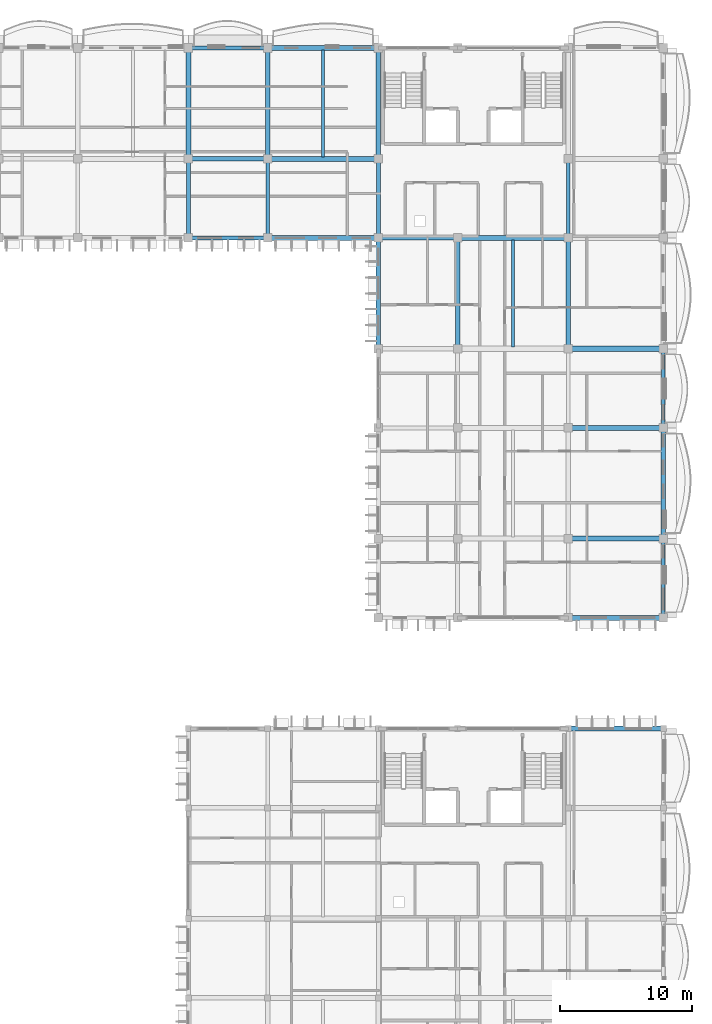
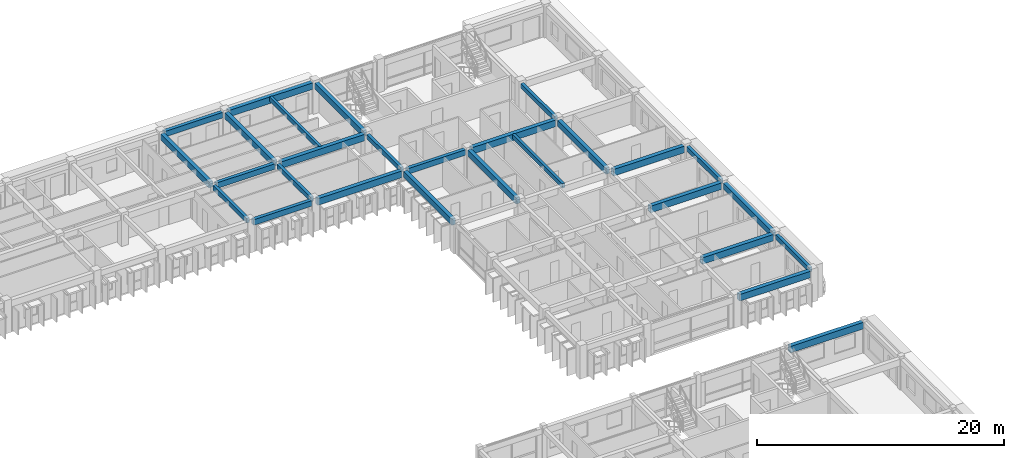
# One storey, part 17 of 76: 28 beams.
"""IFC4 building model written with IfcOpenShell, lengths in metres."""

from ifc_helpers import new_model, si_unit, direction, frame, origin, origin_2d, place, context, subcontext, project, spatial, rectangle, extrude, material, material_profile, profile_set, type_object, element, save


model = new_model("IFC4")

# Units and contexts
model_context = context("Model", 3, precision=1e-05, world=origin(), true_north=direction((0.0, 1.0)))
body_context = subcontext(model_context, "Body", "Model", "MODEL_VIEW")
ifc_project = project(units=[si_unit("LENGTHUNIT", "METRE"), si_unit("AREAUNIT", "SQUARE_METRE"), si_unit("VOLUMEUNIT", "CUBIC_METRE"), si_unit("PLANEANGLEUNIT", "RADIAN"), si_unit("MASSUNIT", "GRAM", prefix="KILO"), si_unit("THERMODYNAMICTEMPERATUREUNIT", "KELVIN")], contexts=[model_context])

# Site, building, storey
site_placement = place(None, origin())
site = spatial("IfcSite", under=ifc_project, at=site_placement, CompositionType="ELEMENT")
building_placement = place(site_placement, origin())
building = spatial("IfcBuilding", under=site, at=building_placement, Name="Thalorik Housing Commons", CompositionType="ELEMENT")
storey_placement = place(building_placement, frame((0.0, 0.0, 18.0)))
storey = spatial("IfcBuildingStorey", under=building, at=storey_placement, Name="L05", CompositionType="ELEMENT", Elevation=18.0)

# Beams
ifc_material = material(Name="Precast concrete C40/50", Category="concrete")
ifc_material_profile_1 = material_profile(ifc_material, rectangle(XDim=0.280029296875, YDim=0.449951171875, at=origin_2d()), Name="PC 280x450", Category="concrete")
ifc_profile_set_1 = profile_set([ifc_material_profile_1], Name="Precast concrete C40/50")
beam_type_1 = type_object("IfcBeamType", Name="STR-BM-PC280x450", PredefinedType="BEAM", material=ifc_profile_set_1)
for number, where, z_axis, x_axis, name in (
    (1, (138.0, 109.47509765625, 2.81494140625), (0.0, 1.0, 0.0), (-1.0, 0.0, 0.0), "L05 Beam B-450"),
    (2, (144.0, 109.47509765625, 2.81494140625), (0.0, 1.0, 0.0), (-1.0, 0.0, 0.0), "L05 Beam B-450"),
    (3, (152.39990234375, 109.47509765625, 2.81494140625), (0.0, 1.0, 0.0), (-1.0, 0.0, 0.0), "L05 Beam B-450"),
    (4, (166.800048828125, 109.47509765625, 2.81494140625), (0.0, 1.0, 0.0), (-1.0, 0.0, 0.0), "L05 Beam B-450"),
    (5, (174.0, 80.675048828125, 2.81494140625), (0.0, 1.0, 0.0), (-1.0, 0.0, 0.0), "L05 Beam B-450"),
    (6, (174.0, 95.074951171875, 2.81494140625), (0.0, 1.0, 0.0), (-1.0, 0.0, 0.0), "L05 Beam B-450"),
):
    element("IfcBeam", number, at=place(storey_placement, frame(where, z_axis=z_axis, x_axis=x_axis)), inside=storey, type_object=beam_type_1, Name=name, PredefinedType="BEAM", context=body_context, shape_type="SweptSolid", body=[
        extrude(rectangle(XDim=0.280029296875, YDim=0.449951171875, at=origin_2d()), origin(), (0.0, 0.0, 1.0), 5.449951171875),
    ])
ifc_material_profile_2 = material_profile(ifc_material, rectangle(XDim=0.320068359375, YDim=0.550048828125, at=origin_2d()), Name="PC 320x550", Category="concrete")
ifc_profile_set_2 = profile_set([ifc_material_profile_2], Name="Precast concrete C40/50")
beam_type_2 = type_object("IfcBeamType", Name="STR-BM-PC320x550", PredefinedType="BEAM", material=ifc_profile_set_2)
beam_1_placement = place(storey_placement, frame((138.27490234375, 109.199951171875, 2.764892578125), z_axis=(1.0, 0.0, 0.0), x_axis=(0.0, 1.0, 0.0)))
element("IfcBeam", 7, at=beam_1_placement, inside=storey, type_object=beam_type_2, Name="L05 Beam B-550", PredefinedType="BEAM", context=body_context, shape_type="SweptSolid", body=[
    extrude(rectangle(XDim=0.320068359375, YDim=0.550048828125, at=origin_2d()), origin(), (0.0, 0.0, 1.0), 5.4501953125),
])
beam_2_placement = place(storey_placement, frame((152.675048828125, 109.199951171875, 2.764892578125), z_axis=(1.0, 0.0, 0.0), x_axis=(0.0, 1.0, 0.0)))
element("IfcBeam", 8, at=beam_2_placement, inside=storey, type_object=beam_type_2, Name="L05 Beam B-550", PredefinedType="BEAM", context=body_context, shape_type="SweptSolid", body=[
    extrude(rectangle(XDim=0.320068359375, YDim=0.550048828125, at=origin_2d()), origin(), (0.0, 0.0, 1.0), 5.449951171875),
])
for number, where, z_axis, x_axis, name in (
    (9, (138.27490234375, 115.199951171875, 2.764892578125), (1.0, 0.0, 0.0), (0.0, 1.0, 0.0), "L05 Beam B-550"),
    (10, (138.27490234375, 123.60009765625, 2.764892578125), (1.0, 0.0, 0.0), (0.0, 1.0, 0.0), "L05 Beam B-550"),
):
    element("IfcBeam", number, at=place(storey_placement, frame(where, z_axis=z_axis, x_axis=x_axis)), inside=storey, type_object=beam_type_2, Name=name, PredefinedType="BEAM", context=body_context, shape_type="SweptSolid", body=[
        extrude(rectangle(XDim=0.320068359375, YDim=0.550048828125, at=origin_2d()), origin(), (0.0, 0.0, 1.0), 5.4501953125),
    ])
ifc_material_profile_3 = material_profile(ifc_material, rectangle(XDim=0.35009765625, YDim=0.60009765625, at=origin_2d()), Name="PC 350x600", Category="concrete")
ifc_profile_set_3 = profile_set([ifc_material_profile_3], Name="Precast concrete C40/50")
beam_type_3 = type_object("IfcBeamType", Name="STR-BM-PC350x600", PredefinedType="BEAM", material=ifc_profile_set_3)
for number, where, z_axis, x_axis, name in (
    (11, (138.0, 115.47509765625, 2.739990234375), (0.0, 1.0, 0.0), (-1.0, 0.0, 0.0), "L05 Beam B-600"),
    (12, (144.0, 115.47509765625, 2.739990234375), (0.0, 1.0, 0.0), (-1.0, 0.0, 0.0), "L05 Beam B-600"),
):
    element("IfcBeam", number, at=place(storey_placement, frame(where, z_axis=z_axis, x_axis=x_axis)), inside=storey, type_object=beam_type_3, Name=name, PredefinedType="BEAM", context=body_context, shape_type="SweptSolid", body=[
        extrude(rectangle(XDim=0.35009765625, YDim=0.60009765625, at=origin_2d()), origin(), (0.0, 0.0, 1.0), 7.849853515625),
    ])
beam_3_placement = place(storey_placement, frame((152.39990234375, 101.074951171875, 2.739990234375), z_axis=(0.0, 1.0, 0.0), x_axis=(-1.0, 0.0, 0.0)))
element("IfcBeam", 13, at=beam_3_placement, inside=storey, type_object=beam_type_3, Name="L05 Beam B-600", PredefinedType="BEAM", context=body_context, shape_type="SweptSolid", body=[
    extrude(rectangle(XDim=0.35009765625, YDim=0.60009765625, at=origin_2d()), origin(), (0.0, 0.0, 1.0), 7.85009765625),
])
beam_4_placement = place(storey_placement, frame((152.39990234375, 115.47509765625, 2.739990234375), z_axis=(0.0, 1.0, 0.0), x_axis=(-1.0, 0.0, 0.0)))
element("IfcBeam", 14, at=beam_4_placement, inside=storey, type_object=beam_type_3, Name="L05 Beam B-600", PredefinedType="BEAM", context=body_context, shape_type="SweptSolid", body=[
    extrude(rectangle(XDim=0.35009765625, YDim=0.60009765625, at=origin_2d()), origin(), (0.0, 0.0, 1.0), 7.849853515625),
])
for number, where, z_axis, x_axis, name in (
    (15, (158.39990234375, 101.074951171875, 2.739990234375), (0.0, 1.0, 0.0), (-1.0, 0.0, 0.0), "L05 Beam B-600"),
    (16, (166.800048828125, 101.074951171875, 2.739990234375), (0.0, 1.0, 0.0), (-1.0, 0.0, 0.0), "L05 Beam B-600"),
):
    element("IfcBeam", number, at=place(storey_placement, frame(where, z_axis=z_axis, x_axis=x_axis)), inside=storey, type_object=beam_type_3, Name=name, PredefinedType="BEAM", context=body_context, shape_type="SweptSolid", body=[
        extrude(rectangle(XDim=0.35009765625, YDim=0.60009765625, at=origin_2d()), origin(), (0.0, 0.0, 1.0), 7.85009765625),
    ])
beam_5_placement = place(storey_placement, frame((174.0, 86.675048828125, 2.739990234375), z_axis=(0.0, 1.0, 0.0), x_axis=(-1.0, 0.0, 0.0)))
element("IfcBeam", 17, at=beam_5_placement, inside=storey, type_object=beam_type_3, Name="L05 Beam B-600", PredefinedType="BEAM", context=body_context, shape_type="SweptSolid", body=[
    extrude(rectangle(XDim=0.35009765625, YDim=0.60009765625, at=origin_2d()), origin(), (0.0, 0.0, 1.0), 7.849853515625),
])
ifc_material_profile_4 = material_profile(ifc_material, rectangle(XDim=0.3798828125, YDim=0.64990234375, at=origin_2d()), Name="PC 380x650", Category="concrete")
ifc_profile_set_4 = profile_set([ifc_material_profile_4], Name="Precast concrete C40/50")
beam_type_4 = type_object("IfcBeamType", Name="STR-BM-PC380x650", PredefinedType="BEAM", material=ifc_profile_set_4)
beam_6_placement = place(storey_placement, frame((166.97509765625, 72.0, 2.715087890625), z_axis=(1.0, 0.0, 0.0), x_axis=(0.0, 1.0, 0.0)))
element("IfcBeam", 18, at=beam_6_placement, inside=storey, type_object=beam_type_4, Name="L05 Beam B-650", PredefinedType="BEAM", context=body_context, shape_type="SweptSolid", body=[
    extrude(rectangle(XDim=0.3798828125, YDim=0.64990234375, at=origin_2d()), origin(), (0.0, 0.0, 1.0), 6.849853515625),
])
for number, where, z_axis, x_axis, name in (
    (19, (167.074951171875, 80.39990234375, 2.715087890625), (1.0, 0.0, 0.0), (0.0, 1.0, 0.0), "L05 Beam B-650"),
    (20, (167.074951171875, 86.39990234375, 2.715087890625), (1.0, 0.0, 0.0), (0.0, 1.0, 0.0), "L05 Beam B-650"),
    (21, (167.074951171875, 94.800048828125, 2.715087890625), (1.0, 0.0, 0.0), (0.0, 1.0, 0.0), "L05 Beam B-650"),
    (22, (167.074951171875, 100.800048828125, 2.715087890625), (1.0, 0.0, 0.0), (0.0, 1.0, 0.0), "L05 Beam B-650"),
):
    element("IfcBeam", number, at=place(storey_placement, frame(where, z_axis=z_axis, x_axis=x_axis)), inside=storey, type_object=beam_type_4, Name=name, PredefinedType="BEAM", context=body_context, shape_type="SweptSolid", body=[
        extrude(rectangle(XDim=0.3798828125, YDim=0.64990234375, at=origin_2d()), origin(), (0.0, 0.0, 1.0), 6.650146484375),
    ])
beam_7_placement = place(storey_placement, frame((144.27490234375, 109.199951171875, 2.715087890625), z_axis=(1.0, 0.0, 0.0), x_axis=(0.0, 1.0, 0.0)))
element("IfcBeam", 23, at=beam_7_placement, inside=storey, type_object=beam_type_4, Name="L05 Beam B-650", PredefinedType="BEAM", context=body_context, shape_type="SweptSolid", body=[
    extrude(rectangle(XDim=0.3798828125, YDim=0.64990234375, at=origin_2d()), origin(), (0.0, 0.0, 1.0), 7.85009765625),
])
beam_8_placement = place(storey_placement, frame((158.675048828125, 109.199951171875, 2.715087890625), z_axis=(1.0, 0.0, 0.0), x_axis=(0.0, 1.0, 0.0)))
element("IfcBeam", 24, at=beam_8_placement, inside=storey, type_object=beam_type_4, Name="L05 Beam B-650", PredefinedType="BEAM", context=body_context, shape_type="SweptSolid", body=[
    extrude(rectangle(XDim=0.3798828125, YDim=0.64990234375, at=origin_2d()), origin(), (0.0, 0.0, 1.0), 7.849853515625),
])
for number, where, z_axis, x_axis, name in (
    (25, (144.27490234375, 115.199951171875, 2.715087890625), (1.0, 0.0, 0.0), (0.0, 1.0, 0.0), "L05 Beam B-650"),
    (26, (144.27490234375, 123.60009765625, 2.715087890625), (1.0, 0.0, 0.0), (0.0, 1.0, 0.0), "L05 Beam B-650"),
):
    element("IfcBeam", number, at=place(storey_placement, frame(where, z_axis=z_axis, x_axis=x_axis)), inside=storey, type_object=beam_type_4, Name=name, PredefinedType="BEAM", context=body_context, shape_type="SweptSolid", body=[
        extrude(rectangle(XDim=0.3798828125, YDim=0.64990234375, at=origin_2d()), origin(), (0.0, 0.0, 1.0), 7.85009765625),
    ])
ifc_material_profile_5 = material_profile(ifc_material, rectangle(XDim=0.239990234375, YDim=0.43994140625, at=origin_2d()), Name="PC JST 240x440", Category="concrete")
ifc_profile_set_5 = profile_set([ifc_material_profile_5], Name="Precast concrete C40/50")
beam_type_5 = type_object("IfcBeamType", Name="STR-JST-PC240x440", PredefinedType="JOIST", material=ifc_profile_set_5)
beam_9_placement = place(storey_placement, frame((162.60009765625, 100.93994140625, 2.820068359375), z_axis=(0.0, 1.0, 0.0), x_axis=(-1.0, 0.0, 0.0)))
element("IfcBeam", 27, at=beam_9_placement, inside=storey, type_object=beam_type_5, Name="L05 Beam J-440", PredefinedType="JOIST", context=body_context, shape_type="SweptSolid", body=[
    extrude(rectangle(XDim=0.239990234375, YDim=0.43994140625, at=origin_2d()), origin(), (0.0, 0.0, 1.0), 8.1201171875),
])
beam_10_placement = place(storey_placement, frame((148.199951171875, 115.340087890625, 2.820068359375), z_axis=(0.0, 1.0, 0.0), x_axis=(-1.0, 0.0, 0.0)))
element("IfcBeam", 28, at=beam_10_placement, inside=storey, type_object=beam_type_5, Name="L05 Beam J-440", PredefinedType="JOIST", context=body_context, shape_type="SweptSolid", body=[
    extrude(rectangle(XDim=0.239990234375, YDim=0.43994140625, at=origin_2d()), origin(), (0.0, 0.0, 1.0), 8.119873046875),
])

save(model, "model.ifc")
